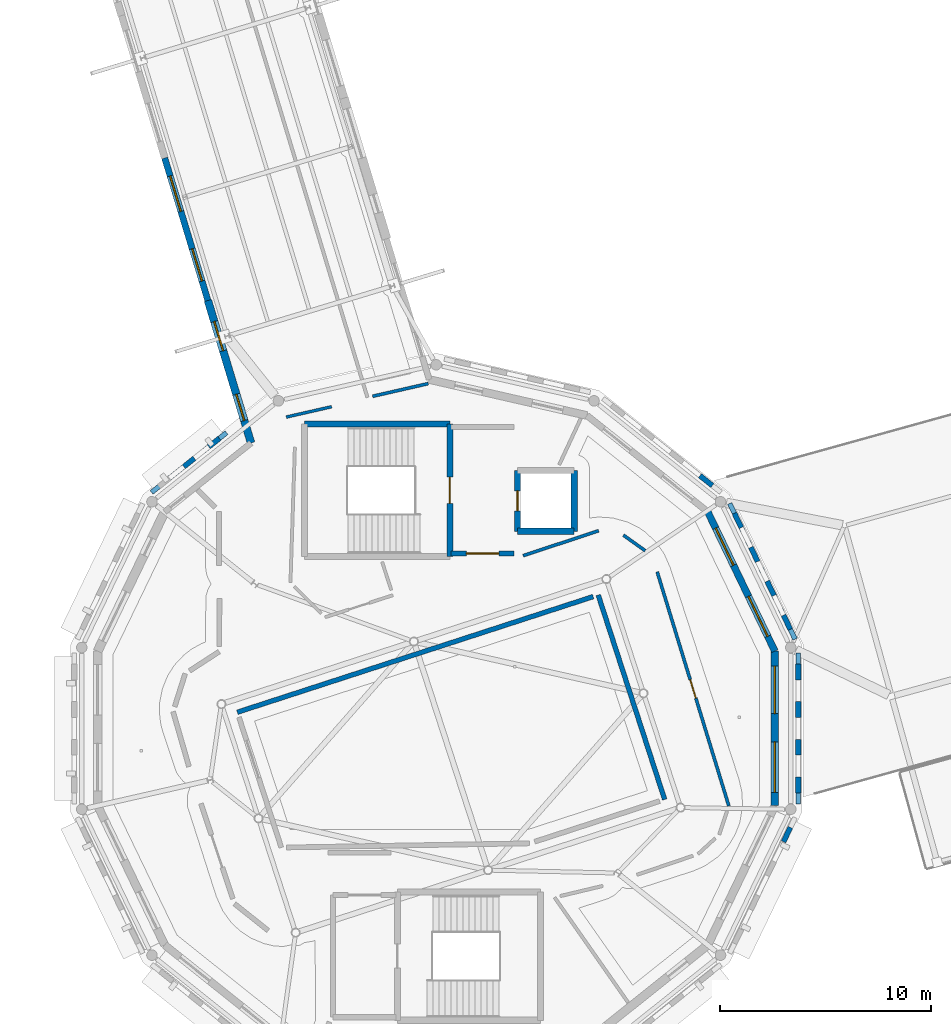
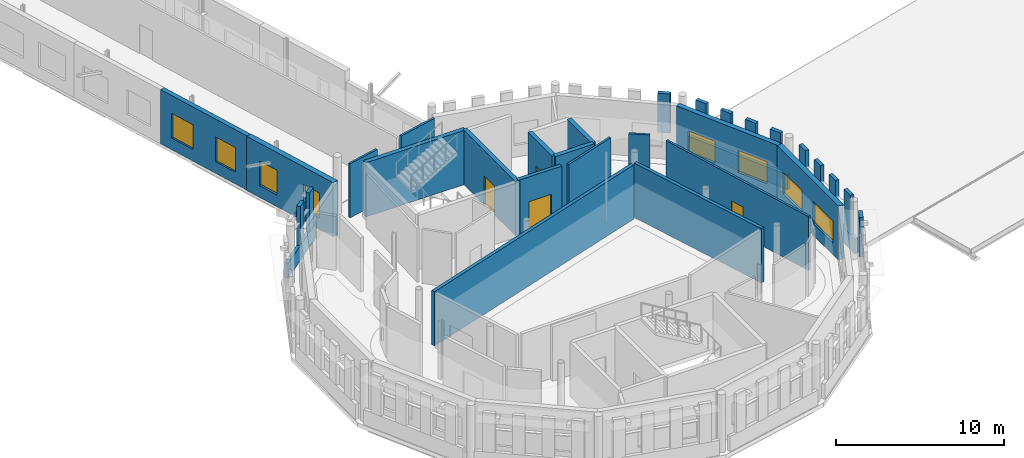
# One storey, part 53 of 90: 32 walls, 8 windows, 4 doors, 12 openings.
"""IFC4 building model written with IfcOpenShell, lengths in metres."""

from ifc_helpers import new_model, si_unit, direction, frame, frame_2d, origin, place, context, subcontext, project, spatial, rectangle, extrude, material, layer, layer_set, type_object, element, fill, save


model = new_model("IFC4")

# Units and contexts
model_context = context("Model", 3, precision=1e-05, world=origin(), true_north=direction((0.0, 1.0)))
body_context = subcontext(model_context, "Body", "Model", "MODEL_VIEW")
ifc_project = project(units=[si_unit("LENGTHUNIT", "METRE"), si_unit("AREAUNIT", "SQUARE_METRE"), si_unit("VOLUMEUNIT", "CUBIC_METRE"), si_unit("PLANEANGLEUNIT", "RADIAN"), si_unit("MASSUNIT", "GRAM", prefix="KILO")], contexts=[model_context])

# Site, building, storey
site_placement = place(None, origin())
site = spatial("IfcSite", under=ifc_project, at=site_placement, CompositionType="ELEMENT")
building_placement = place(site_placement, origin())
building = spatial("IfcBuilding", under=site, at=building_placement, Name="Wrenclough Park School", CompositionType="ELEMENT")
storey_placement = place(building_placement, frame((0.0, 0.0, 8.39990234375)))
storey = spatial("IfcBuildingStorey", under=building, at=storey_placement, Name="L02", CompositionType="ELEMENT", Elevation=8.39990234375)

# Walls
ifc_material_1 = material(Name="Perforated open-bond Staffordshire and Manchester brick screen pier", Category="masonry")
ifc_layer_1 = layer(ifc_material_1, 0.2451171875)
ifc_layer_set_1 = layer_set([ifc_layer_1], Name="Perforated open-bond Staffordshire and Manchester brick screen pier")
wall_type_1 = type_object("IfcWallType", Name="ENV-BS-PR245", PredefinedType="ELEMENTEDWALL", material=ifc_layer_set_1)
for number, where, z_axis, x_axis, name in (
    (1, (53.298828125, 28.1982421875, 1.090087890625), (0.0, 0.0, 1.0), (-0.433884123593, 0.900968682749, 0.0), "D2 L02 perforated brick screen pier 0454"),
    (2, (52.5234375, 29.80810546875, 1.090087890625), (0.0, 0.0, 1.0), (-0.433884123593, 0.900968682749, 0.0), "D2 L02 perforated brick screen pier 0455"),
    (3, (51.748291015625, 31.41796875, 1.090087890625), (0.0, 0.0, 1.0), (-0.433884123593, 0.900968682749, 0.0), "D2 L02 perforated brick screen pier 0456"),
    (4, (50.972900390625, 33.02783203125, 1.090087890625), (0.0, 0.0, 1.0), (-0.433884123593, 0.900968682749, 0.0), "D2 L02 perforated brick screen pier 0457"),
):
    element("IfcWall", number, at=place(storey_placement, frame(where, z_axis=z_axis, x_axis=x_axis)), inside=storey, type_object=wall_type_1, Name=name, PredefinedType="ELEMENTEDWALL", context=body_context, shape_type="SweptSolid", body=[
        extrude(rectangle(XDim=0.75, YDim=0.2451171875, at=frame_2d((0.375, 0.0))), origin(), (0.0, 0.0, 1.0), 2.85009765625),
    ])
wall_1_placement = place(storey_placement, frame((49.596923828125, 35.021728515625, 1.090087890625), z_axis=(0.0, 0.0, 1.0), x_axis=(-0.781819359776, 0.623505002931, 0.0)))
element("IfcWall", 5, at=wall_1_placement, inside=storey, type_object=wall_type_1, Name="D2 L02 perforated brick screen pier 0458", PredefinedType="ELEMENTEDWALL", context=body_context, shape_type="SweptSolid", body=[
    extrude(rectangle(XDim=0.7509765625, YDim=0.2451171875, at=frame_2d((0.37548828125, 0.0))), origin(), (0.0, 0.0, 1.0), 2.85009765625),
])
for number, where, z_axis, x_axis, name in (
    (6, (26.209228515625, 37.259521484375, 1.090087890625), (0.0, 0.0, 1.0), (-0.781802658716, -0.623525943986, 0.0), "D2 L02 perforated brick screen pier 0466"),
    (7, (25.0244140625, 36.314697265625, 1.090087890625), (0.0, 0.0, 1.0), (-0.781802658716, -0.623525943986, 0.0), "D2 L02 perforated brick screen pier 0467"),
):
    element("IfcWall", number, at=place(storey_placement, frame(where, z_axis=z_axis, x_axis=x_axis)), inside=storey, type_object=wall_type_1, Name=name, PredefinedType="ELEMENTEDWALL", context=body_context, shape_type="SweptSolid", body=[
        extrude(rectangle(XDim=0.636962890625, YDim=0.2451171875, at=frame_2d((0.318359375, 0.0))), origin(), (0.0, 0.0, 1.0), 2.85009765625),
    ])
for number, where, z_axis, x_axis, name in (
    (8, (52.973388671875, 18.1259765625, 1.090087890625), (0.0, 0.0, 1.0), (0.433884123593, 0.900968682749, 0.0), "D2 L02 perforated brick screen pier 0500"),
    (9, (53.673583984375, 20.4453125, 1.090087890625), (0.0, 0.0, 1.0), (0.0, 1.0, 0.0), "D2 L02 perforated brick screen pier 0501"),
    (10, (53.673583984375, 22.231689453125, 1.090087890625), (0.0, 0.0, 1.0), (0.0, 1.0, 0.0), "D2 L02 perforated brick screen pier 0502"),
    (11, (53.673583984375, 24.018310546875, 1.090087890625), (0.0, 0.0, 1.0), (0.0, 1.0, 0.0), "D2 L02 perforated brick screen pier 0503"),
    (12, (53.673583984375, 25.8046875, 1.090087890625), (0.0, 0.0, 1.0), (0.0, 1.0, 0.0), "D2 L02 perforated brick screen pier 0504"),
):
    element("IfcWall", number, at=place(storey_placement, frame(where, z_axis=z_axis, x_axis=x_axis)), inside=storey, type_object=wall_type_1, Name=name, PredefinedType="ELEMENTEDWALL", context=body_context, shape_type="SweptSolid", body=[
        extrude(rectangle(XDim=0.75, YDim=0.2451171875, at=frame_2d((0.375, 0.0))), origin(), (0.0, 0.0, 1.0), 2.85009765625),
    ])
ifc_material_2 = material(Name="Open-bond Manchester multi-stock brick spandrel screen", Category="masonry")
ifc_layer_2 = layer(ifc_material_2, 0.22509765625)
ifc_layer_set_2 = layer_set([ifc_layer_2], Name="Open-bond Manchester multi-stock brick spandrel screen")
wall_type_2 = type_object("IfcWallType", Name="ENV-BS-SP225", PredefinedType="ELEMENTEDWALL", material=ifc_layer_set_2)
wall_2_placement = place(storey_placement, frame((53.523681640625, 27.731201171875, 0.0), z_axis=(0.0, 0.0, 1.0), x_axis=(-0.433883402341, 0.900969030085, 0.0)))
element("IfcWall", 13, at=wall_2_placement, inside=storey, type_object=wall_type_2, Name="D2 L02 open-bond brick screen spandrel 0124", PredefinedType="ELEMENTEDWALL", context=body_context, shape_type="SweptSolid", body=[
    extrude(rectangle(XDim=7.147216796875, YDim=0.22509765625, at=frame_2d((3.57373046875, 0.0))), origin(), (0.0, 0.0, 1.0), 1.090087890625),
])
wall_3_placement = place(storey_placement, frame((26.552734375, 37.533447265625, 0.0), z_axis=(0.0, 0.0, 1.0), x_axis=(-0.781837045864, -0.623482825517, 0.0)))
element("IfcWall", 14, at=wall_3_placement, inside=storey, type_object=wall_type_2, Name="D2 L02 open-bond brick screen spandrel 0127", PredefinedType="ELEMENTEDWALL", context=body_context, shape_type="SweptSolid", body=[
    extrude(rectangle(XDim=4.546630859375, YDim=0.22509765625, at=frame_2d((2.2734375, 0.0))), origin(), (0.0, 0.0, 1.0), 1.090087890625),
])
wall_4_placement = place(storey_placement, frame((53.673583984375, 19.927001953125, 0.0), z_axis=(0.0, 0.0, 1.0), x_axis=(0.0, 1.0, 0.0)))
element("IfcWall", 15, at=wall_4_placement, inside=storey, type_object=wall_type_2, Name="D2 L02 open-bond brick screen spandrel 0136", PredefinedType="ELEMENTEDWALL", context=body_context, shape_type="SweptSolid", body=[
    extrude(rectangle(XDim=7.14599609375, YDim=0.22509765625, at=frame_2d((3.572998046875, 0.0))), origin(), (0.0, 0.0, 1.0), 1.090087890625),
])

# Wall, openings, windows
ifc_material_3 = material(Name="Manchester multi-stock brick and Concrete C32/40 inner leaf", Category="masonry")
ifc_layer_3 = layer(ifc_material_3, 0.300048828125)
ifc_layer_set_3 = layer_set([ifc_layer_3], Name="Manchester multi-stock brick and Concrete C32/40 inner leaf")
wall_type_3 = type_object("IfcWallType", Name="ENV-EW-300", PredefinedType="SOLIDWALL", material=ifc_layer_set_3)
wall_5_placement = place(storey_placement, frame((25.66748046875, 43.7998046875, 0.0), z_axis=(0.0, 0.0, 1.0), x_axis=(-0.290036178649, 0.957015681729, 0.0)))
wall_5 = element("IfcWall", 16, at=wall_5_placement, inside=storey, type_object=wall_type_3, Name="L02 insulated brick external wall 0224", PredefinedType="SOLIDWALL", context=body_context, shape_type="SweptSolid", body=[
    extrude(rectangle(XDim=7.062255859375, YDim=0.300048828125, at=frame_2d((3.53125, 0.0))), origin(), (0.0, 0.0, 1.0), 3.940185546875),
])
opening_1_placement = place(wall_5_placement, frame((0.965576171875, 0.0, 0.85009765625)))
opening_1 = element("IfcOpeningElement", 17, at=opening_1_placement, cuts=wall_5, Name="Opening WN-29", PredefinedType="OPENING", context=body_context, shape_type="SweptSolid", body=[
    extrude(rectangle(XDim=1.60009765625, YDim=1.800048828125, at=frame_2d((0.800048828125, 0.89990234375))), frame((0.0, 0.159912109375, 0.0), z_axis=(0.0, -1.0, 0.0), x_axis=(1.0, 0.0, 0.0)), (0.0, 0.0, 1.0), 0.320068359375),
])
opening_2_placement = place(wall_5_placement, frame((4.421875, 0.0, 0.85009765625)))
opening_2 = element("IfcOpeningElement", 18, at=opening_2_placement, cuts=wall_5, Name="Opening WN-30", PredefinedType="OPENING", context=body_context, shape_type="SweptSolid", body=[
    extrude(rectangle(XDim=1.75, YDim=1.800048828125, at=frame_2d((0.875, 0.89990234375))), frame((0.0, 0.159912109375, 0.0), z_axis=(0.0, -1.0, 0.0), x_axis=(1.0, 0.0, 0.0)), (0.0, 0.0, 1.0), 0.320068359375),
])
ifc_material_4 = material(Name="Thermally broken aluminium and double-glazed low-e glass", Category="aluminium")
window_type_1 = type_object("IfcWindowType", Name="ENV-WN-29", PartitioningType="DOUBLE_PANEL_VERTICAL", PredefinedType="WINDOW", material=ifc_material_4)
window_1_placement = place(opening_1_placement, origin())
window_1 = element("IfcWindow", 19, at=window_1_placement, inside=storey, type_object=window_type_1, Name="L02 scheduled facade window 0364", OverallHeight=1.800048828125, OverallWidth=1.60009765625, PartitioningType="SINGLE_PANEL", PredefinedType="WINDOW", context=body_context, shape_type="SweptSolid", body=[
    extrude(rectangle(XDim=1.60009765625, YDim=1.800048828125, at=frame_2d((0.800048828125, 0.89990234375))), frame((0.0, 0.030029296875, 0.0), z_axis=(0.0, -1.0, 0.0), x_axis=(1.0, 0.0, 0.0)), (0.0, 0.0, 1.0), 0.06005859375),
])
fill(opening_1, window_1)
window_type_2 = type_object("IfcWindowType", Name="ENV-WN-30", PartitioningType="DOUBLE_PANEL_VERTICAL", PredefinedType="WINDOW", material=ifc_material_4)
window_2_placement = place(opening_2_placement, origin())
window_2 = element("IfcWindow", 20, at=window_2_placement, inside=storey, type_object=window_type_2, Name="L02 scheduled facade window 0365", OverallHeight=1.800048828125, OverallWidth=1.75, PartitioningType="SINGLE_PANEL", PredefinedType="WINDOW", context=body_context, shape_type="SweptSolid", body=[
    extrude(rectangle(XDim=1.75, YDim=1.800048828125, at=frame_2d((0.875, 0.89990234375))), frame((0.0, 0.030029296875, 0.0), z_axis=(0.0, -1.0, 0.0), x_axis=(1.0, 0.0, 0.0)), (0.0, 0.0, 1.0), 0.06005859375),
])
fill(opening_2, window_2)

ifc_layer_4 = layer(ifc_material_3, 0.324951171875)
ifc_layer_set_4 = layer_set([ifc_layer_4], Name="Manchester multi-stock brick and Concrete C32/40 inner leaf")
wall_type_4 = type_object("IfcWallType", Name="ENV-EW-325", PredefinedType="SOLIDWALL", material=ifc_layer_set_4)
wall_6_placement = place(storey_placement, frame((49.382080078125, 33.773193359375, 0.0), z_axis=(0.0, 0.0, 1.0), x_axis=(0.433886691468, -0.900967446119, 0.0)))
wall_6 = element("IfcWall", 21, at=wall_6_placement, inside=storey, type_object=wall_type_4, Name="L02 insulated brick external wall 0249", PredefinedType="SOLIDWALL", context=body_context, shape_type="SweptSolid", body=[
    extrude(rectangle(XDim=7.332763671875, YDim=0.324951171875, at=frame_2d((3.66650390625, 0.0))), origin(), (0.0, 0.0, 1.0), 3.940185546875),
])
opening_3_placement = place(wall_6_placement, frame((0.8583984375, 0.0, 0.85009765625)))
opening_3 = element("IfcOpeningElement", 22, at=opening_3_placement, cuts=wall_6, Name="Opening WN-20", PredefinedType="OPENING", context=body_context, shape_type="SweptSolid", body=[
    extrude(rectangle(XDim=1.949951171875, YDim=1.60009765625, at=frame_2d((0.97509765625, 0.800048828125))), frame((0.0, 0.17236328125, 0.0), z_axis=(0.0, -1.0, 0.0), x_axis=(1.0, 0.0, 0.0)), (0.0, 0.0, 1.0), 0.344970703125),
])
opening_4_placement = place(wall_6_placement, frame((4.44970703125, 0.0, 0.85009765625)))
opening_4 = element("IfcOpeningElement", 23, at=opening_4_placement, cuts=wall_6, Name="Opening WN-21", PredefinedType="OPENING", context=body_context, shape_type="SweptSolid", body=[
    extrude(rectangle(XDim=2.10009765625, YDim=1.60009765625, at=frame_2d((1.050048828125, 0.800048828125))), frame((0.0, 0.17236328125, 0.0), z_axis=(0.0, -1.0, 0.0), x_axis=(1.0, 0.0, 0.0)), (0.0, 0.0, 1.0), 0.344970703125),
])
window_type_3 = type_object("IfcWindowType", Name="ENV-WN-20", PartitioningType="DOUBLE_PANEL_VERTICAL", PredefinedType="WINDOW", material=ifc_material_4)
window_3_placement = place(opening_3_placement, origin())
window_3 = element("IfcWindow", 24, at=window_3_placement, inside=storey, type_object=window_type_3, Name="L02 scheduled facade window 0411", OverallHeight=1.60009765625, OverallWidth=1.949951171875, PartitioningType="SINGLE_PANEL", PredefinedType="WINDOW", context=body_context, shape_type="SweptSolid", body=[
    extrude(rectangle(XDim=1.949951171875, YDim=1.60009765625, at=frame_2d((0.97509765625, 0.800048828125))), frame((0.0, 0.030029296875, 0.0), z_axis=(0.0, -1.0, 0.0), x_axis=(1.0, 0.0, 0.0)), (0.0, 0.0, 1.0), 0.06005859375),
])
fill(opening_3, window_3)
window_type_4 = type_object("IfcWindowType", Name="ENV-WN-21", PartitioningType="DOUBLE_PANEL_VERTICAL", PredefinedType="WINDOW", material=ifc_material_4)
window_4_placement = place(opening_4_placement, origin())
window_4 = element("IfcWindow", 25, at=window_4_placement, inside=storey, type_object=window_type_4, Name="L02 scheduled facade window 0412", OverallHeight=1.60009765625, OverallWidth=2.10009765625, PartitioningType="SINGLE_PANEL", PredefinedType="WINDOW", context=body_context, shape_type="SweptSolid", body=[
    extrude(rectangle(XDim=2.10009765625, YDim=1.60009765625, at=frame_2d((1.050048828125, 0.800048828125))), frame((0.0, 0.030029296875, 0.0), z_axis=(0.0, -1.0, 0.0), x_axis=(1.0, 0.0, 0.0)), (0.0, 0.0, 1.0), 0.06005859375),
])
fill(opening_4, window_4)

ifc_material_5 = material(Name="Staffordshire blue-grey brick and Concrete C35/45 inner leaf", Category="masonry")
ifc_layer_5 = layer(ifc_material_5, 0.35009765625)
ifc_layer_set_5 = layer_set([ifc_layer_5], Name="Staffordshire blue-grey brick and Concrete C35/45 inner leaf")
wall_type_5 = type_object("IfcWallType", Name="ENV-EW-350", PredefinedType="SOLIDWALL", material=ifc_layer_set_5)
wall_7_placement = place(storey_placement, frame((52.563720703125, 27.16650390625, 0.0), z_axis=(0.0, 0.0, 1.0), x_axis=(0.0, -1.0, 0.0)))
wall_7 = element("IfcWall", 26, at=wall_7_placement, inside=storey, type_object=wall_type_5, Name="L02 insulated brick external wall 0250", PredefinedType="SOLIDWALL", context=body_context, shape_type="SweptSolid", body=[
    extrude(rectangle(XDim=7.3330078125, YDim=0.35009765625, at=frame_2d((3.66650390625, 0.0))), origin(), (0.0, 0.0, 1.0), 3.940185546875),
])
opening_5_placement = place(wall_7_placement, frame((0.708251953125, 0.0, 0.85009765625)))
opening_5 = element("IfcOpeningElement", 27, at=opening_5_placement, cuts=wall_7, Name="Opening WN-22", PredefinedType="OPENING", context=body_context, shape_type="SweptSolid", body=[
    extrude(rectangle(XDim=2.25, YDim=1.60009765625, at=frame_2d((1.125, 0.800048828125))), frame((0.0, 0.18505859375, 0.0), z_axis=(0.0, -1.0, 0.0), x_axis=(1.0, 0.0, 0.0)), (0.0, 0.0, 1.0), 0.3701171875),
])
opening_6_placement = place(wall_7_placement, frame((4.2998046875, 0.0, 0.85009765625)))
opening_6 = element("IfcOpeningElement", 28, at=opening_6_placement, cuts=wall_7, Name="Opening WN-23", PredefinedType="OPENING", context=body_context, shape_type="SweptSolid", body=[
    extrude(rectangle(XDim=2.39990234375, YDim=1.60009765625, at=frame_2d((1.199951171875, 0.800048828125))), frame((0.0, 0.18505859375, 0.0), z_axis=(0.0, -1.0, 0.0), x_axis=(1.0, 0.0, 0.0)), (0.0, 0.0, 1.0), 0.3701171875),
])
window_type_5 = type_object("IfcWindowType", Name="ENV-WN-22", PartitioningType="DOUBLE_PANEL_VERTICAL", PredefinedType="WINDOW", material=ifc_material_4)
window_5_placement = place(opening_5_placement, origin())
window_5 = element("IfcWindow", 29, at=window_5_placement, inside=storey, type_object=window_type_5, Name="L02 scheduled facade window 0413", OverallHeight=1.60009765625, OverallWidth=2.25, PartitioningType="SINGLE_PANEL", PredefinedType="WINDOW", context=body_context, shape_type="SweptSolid", body=[
    extrude(rectangle(XDim=2.25, YDim=1.60009765625, at=frame_2d((1.125, 0.800048828125))), frame((0.0, 0.030029296875, 0.0), z_axis=(0.0, -1.0, 0.0), x_axis=(1.0, 0.0, 0.0)), (0.0, 0.0, 1.0), 0.06005859375),
])
fill(opening_5, window_5)
window_type_6 = type_object("IfcWindowType", Name="ENV-WN-23", PartitioningType="DOUBLE_PANEL_VERTICAL", PredefinedType="WINDOW", material=ifc_material_4)
window_6_placement = place(opening_6_placement, origin())
window_6 = element("IfcWindow", 30, at=window_6_placement, inside=storey, type_object=window_type_6, Name="L02 scheduled facade window 0414", OverallHeight=1.60009765625, OverallWidth=2.39990234375, PartitioningType="SINGLE_PANEL", PredefinedType="WINDOW", context=body_context, shape_type="SweptSolid", body=[
    extrude(rectangle(XDim=2.39990234375, YDim=1.60009765625, at=frame_2d((1.199951171875, 0.800048828125))), frame((0.0, 0.030029296875, 0.0), z_axis=(0.0, -1.0, 0.0), x_axis=(1.0, 0.0, 0.0)), (0.0, 0.0, 1.0), 0.06005859375),
])
fill(opening_6, window_6)

ifc_material_6 = material(Name="Faceted courtyard brick-cavity wall Concrete C35/45", Category="masonry")
ifc_layer_6 = layer(ifc_material_6, 0.364990234375)
ifc_layer_set_6 = layer_set([ifc_layer_6], Name="Faceted courtyard brick-cavity wall Concrete C35/45")
wall_type_6 = type_object("IfcWallType", Name="ENV-EW-365", PredefinedType="SOLIDWALL", material=ifc_layer_set_6)
wall_8_placement = place(storey_placement, frame((27.715576171875, 37.041015625, 0.0), z_axis=(0.0, 0.0, 1.0), x_axis=(-0.290004516903, 0.957025276665, 0.0)))
wall_8 = element("IfcWall", 31, at=wall_8_placement, inside=storey, type_object=wall_type_6, Name="L02 insulated brick external wall 0223", PredefinedType="SOLIDWALL", context=body_context, shape_type="SweptSolid", body=[
    extrude(rectangle(XDim=7.062255859375, YDim=0.364990234375, at=frame_2d((3.53125, 0.0))), origin(), (0.0, 0.0, 1.0), 3.940185546875),
])
opening_7_placement = place(wall_8_placement, frame((1.115478515625, 0.0, 0.85009765625)))
opening_7 = element("IfcOpeningElement", 32, at=opening_7_placement, cuts=wall_8, Name="Opening WN-27", PredefinedType="OPENING", context=body_context, shape_type="SweptSolid", body=[
    extrude(rectangle(XDim=1.300048828125, YDim=1.800048828125, at=frame_2d((0.64990234375, 0.89990234375))), frame((0.0, 0.1923828125, 0.0), z_axis=(0.0, -1.0, 0.0), x_axis=(1.0, 0.0, 0.0)), (0.0, 0.0, 1.0), 0.385009765625),
])
opening_8_placement = place(wall_8_placement, frame((4.57177734375, 0.0, 0.85009765625)))
opening_8 = element("IfcOpeningElement", 33, at=opening_8_placement, cuts=wall_8, Name="Opening WN-28", PredefinedType="OPENING", context=body_context, shape_type="SweptSolid", body=[
    extrude(rectangle(XDim=1.449951171875, YDim=1.800048828125, at=frame_2d((0.72509765625, 0.89990234375))), frame((0.0, 0.1923828125, 0.0), z_axis=(0.0, -1.0, 0.0), x_axis=(1.0, 0.0, 0.0)), (0.0, 0.0, 1.0), 0.385009765625),
])
window_type_7 = type_object("IfcWindowType", Name="ENV-WN-27", PartitioningType="SINGLE_PANEL", PredefinedType="WINDOW", material=ifc_material_4)
window_7_placement = place(opening_7_placement, origin())
window_7 = element("IfcWindow", 34, at=window_7_placement, inside=storey, type_object=window_type_7, Name="L02 scheduled facade window 0362", OverallHeight=1.800048828125, OverallWidth=1.300048828125, PartitioningType="SINGLE_PANEL", PredefinedType="WINDOW", context=body_context, shape_type="SweptSolid", body=[
    extrude(rectangle(XDim=1.300048828125, YDim=1.800048828125, at=frame_2d((0.64990234375, 0.89990234375))), frame((0.0, 0.030029296875, 0.0), z_axis=(0.0, -1.0, 0.0), x_axis=(1.0, 0.0, 0.0)), (0.0, 0.0, 1.0), 0.06005859375),
])
fill(opening_7, window_7)
window_type_8 = type_object("IfcWindowType", Name="ENV-WN-28", PartitioningType="SINGLE_PANEL", PredefinedType="WINDOW", material=ifc_material_4)
window_8_placement = place(opening_8_placement, origin())
window_8 = element("IfcWindow", 35, at=window_8_placement, inside=storey, type_object=window_type_8, Name="L02 scheduled facade window 0363", OverallHeight=1.800048828125, OverallWidth=1.449951171875, PartitioningType="SINGLE_PANEL", PredefinedType="WINDOW", context=body_context, shape_type="SweptSolid", body=[
    extrude(rectangle(XDim=1.449951171875, YDim=1.800048828125, at=frame_2d((0.72509765625, 0.89990234375))), frame((0.0, 0.030029296875, 0.0), z_axis=(0.0, -1.0, 0.0), x_axis=(1.0, 0.0, 0.0)), (0.0, 0.0, 1.0), 0.06005859375),
])
fill(opening_8, window_8)

# Wall, opening, door
ifc_material_7 = material(Name="Concrete C35/45", Category="concrete")
ifc_layer_7 = layer(ifc_material_7, 0.25)
ifc_layer_set_7 = layer_set([ifc_layer_7], Name="Concrete C35/45")
wall_type_7 = type_object("IfcWallType", Name="INT-CW-250", PredefinedType="SHEAR", material=ifc_layer_set_7)
wall_9_placement = place(storey_placement, frame((37.199951171875, 31.800048828125, 0.0), z_axis=(0.0, 0.0, 1.0), x_axis=(1.0, 0.0, 0.0)))
wall_9 = element("IfcWall", 36, at=wall_9_placement, inside=storey, type_object=wall_type_7, Name="Core C2 L02 lobby fire wall south", PredefinedType="SHEAR", context=body_context, shape_type="SweptSolid", body=[
    extrude(rectangle(XDim=3.0, YDim=0.25, at=frame_2d((1.5, 0.0))), origin(), (0.0, 0.0, 1.0), 3.9501953125),
])
opening_9_placement = place(wall_9_placement, frame((0.72509765625, 0.0, 0.0)))
opening_9 = element("IfcOpeningElement", 37, at=opening_9_placement, cuts=wall_9, Name="Opening DLB-C2-L02", PredefinedType="OPENING", context=body_context, shape_type="SweptSolid", body=[
    extrude(rectangle(XDim=1.550048828125, YDim=2.14990234375, at=frame_2d((0.77490234375, 1.074951171875))), frame((0.0, 0.135009765625, 0.0), z_axis=(0.0, -1.0, 0.0), x_axis=(1.0, 0.0, 0.0)), (0.0, 0.0, 1.0), 0.27001953125),
])
ifc_material_8 = material(Name="Protected stair lobby double fire door assembly", Category="wood")
door_type_1 = type_object("IfcDoorType", Name="INT-DR-LB155", OperationType="NOTDEFINED", PredefinedType="DOOR", material=ifc_material_8)
door_1_placement = place(opening_9_placement, origin())
door_1 = element("IfcDoor", 38, at=door_1_placement, inside=storey, type_object=door_type_1, Name="Core C2 L02 protected lobby fire door", OperationType="DOUBLE_DOOR_SINGLE_SWING", OverallHeight=2.14990234375, OverallWidth=1.550048828125, PredefinedType="DOOR", context=body_context, shape_type="SweptSolid", body=[
    extrude(rectangle(XDim=1.550048828125, YDim=2.14990234375, at=frame_2d((0.77490234375, 1.074951171875))), frame((0.0, 0.02490234375, 0.0), z_axis=(0.0, -1.0, 0.0), x_axis=(1.0, 0.0, 0.0)), (0.0, 0.0, 1.0), 0.050048828125),
])
fill(opening_9, door_1)

ifc_material_9 = material(Name="Concrete C40/50", Category="concrete")
ifc_layer_8 = layer(ifc_material_9, 0.2900390625)
ifc_layer_set_8 = layer_set([ifc_layer_8], Name="Concrete C40/50")
wall_type_8 = type_object("IfcWallType", Name="INT-CW-290", PredefinedType="SHEAR", material=ifc_layer_set_8)
wall_10_placement = place(storey_placement, frame((37.14501953125, 31.655029296875, 0.0), z_axis=(0.0, 0.0, 1.0), x_axis=(0.0, 1.0, 0.0)))
wall_10 = element("IfcWall", 39, at=wall_10_placement, inside=storey, type_object=wall_type_8, Name="Core C2 L02 east shear wall", PredefinedType="SHEAR", context=body_context, shape_type="SweptSolid", body=[
    extrude(rectangle(XDim=6.2900390625, YDim=0.2900390625, at=frame_2d((3.14501953125, 0.0))), origin(), (0.0, 0.0, 1.0), 3.9501953125),
])
opening_10_placement = place(wall_10_placement, frame((2.52001953125, 0.0, 0.0)))
opening_10 = element("IfcOpeningElement", 40, at=opening_10_placement, cuts=wall_10, Name="Opening DST-C2-L02", PredefinedType="OPENING", context=body_context, shape_type="SweptSolid", body=[
    extrude(rectangle(XDim=1.25, YDim=2.10009765625, at=frame_2d((0.625, 1.050048828125))), frame((0.0, 0.155029296875, 0.0), z_axis=(0.0, -1.0, 0.0), x_axis=(1.0, 0.0, 0.0)), (0.0, 0.0, 1.0), 0.31005859375),
])
ifc_material_10 = material(Name="Wide protected escape stair fire door assembly", Category="wood")
door_type_2 = type_object("IfcDoorType", Name="INT-DR-ST125", OperationType="NOTDEFINED", PredefinedType="DOOR", material=ifc_material_10)
door_2_placement = place(opening_10_placement, origin())
door_2 = element("IfcDoor", 41, at=door_2_placement, inside=storey, type_object=door_type_2, Name="Stair ST-02 L02 fire door", OperationType="SINGLE_SWING_LEFT", OverallHeight=2.10009765625, OverallWidth=1.25, PredefinedType="DOOR", context=body_context, shape_type="SweptSolid", body=[
    extrude(rectangle(XDim=1.25, YDim=2.10009765625, at=frame_2d((0.625, 1.050048828125))), frame((0.0, 0.02490234375, 0.0), z_axis=(0.0, -1.0, 0.0), x_axis=(1.0, 0.0, 0.0)), (0.0, 0.0, 1.0), 0.050048828125),
])
fill(opening_10, door_2)

# Walls
wall_11_placement = place(storey_placement, frame((37.14501953125, 37.945068359375, 0.0), z_axis=(0.0, 0.0, 1.0), x_axis=(-1.0, 0.0, 0.0)))
element("IfcWall", 42, at=wall_11_placement, inside=storey, type_object=wall_type_8, Name="Core C2 L02 north shear wall", PredefinedType="SHEAR", context=body_context, shape_type="SweptSolid", body=[
    extrude(rectangle(XDim=6.89013671875, YDim=0.2900390625, at=frame_2d((3.445068359375, 0.0))), origin(), (0.0, 0.0, 1.0), 3.9501953125),
])
wall_12_placement = place(storey_placement, frame((40.35498046875, 32.85498046875, 0.0), z_axis=(0.0, 0.0, 1.0), x_axis=(1.0, 0.0, 0.0)))
element("IfcWall", 43, at=wall_12_placement, inside=storey, type_object=wall_type_8, Name="Lift LFT-04 L02 south shaft wall", PredefinedType="SHEAR", context=body_context, shape_type="SweptSolid", body=[
    extrude(rectangle(XDim=2.68994140625, YDim=0.2900390625, at=frame_2d((1.344970703125, 0.0))), origin(), (0.0, 0.0, 1.0), 3.9501953125),
])
wall_13_placement = place(storey_placement, frame((43.044921875, 32.85498046875, 0.0), z_axis=(0.0, 0.0, 1.0), x_axis=(0.0, 1.0, 0.0)))
element("IfcWall", 44, at=wall_13_placement, inside=storey, type_object=wall_type_8, Name="Lift LFT-04 L02 east shaft wall", PredefinedType="SHEAR", context=body_context, shape_type="SweptSolid", body=[
    extrude(rectangle(XDim=2.89013671875, YDim=0.2900390625, at=frame_2d((1.445068359375, 0.0))), origin(), (0.0, 0.0, 1.0), 3.9501953125),
])

# Wall, opening, door
wall_14_placement = place(storey_placement, frame((40.35498046875, 35.7451171875, 0.0), z_axis=(0.0, 0.0, 1.0), x_axis=(0.0, -1.0, 0.0)))
wall_14 = element("IfcWall", 45, at=wall_14_placement, inside=storey, type_object=wall_type_8, Name="Lift LFT-04 L02 west shaft wall", PredefinedType="SHEAR", context=body_context, shape_type="SweptSolid", body=[
    extrude(rectangle(XDim=2.89013671875, YDim=0.2900390625, at=frame_2d((1.445068359375, 0.0))), origin(), (0.0, 0.0, 1.0), 3.9501953125),
])
opening_11_placement = place(wall_14_placement, frame((0.969970703125, 0.0, 0.0)))
opening_11 = element("IfcOpeningElement", 46, at=opening_11_placement, cuts=wall_14, Name="Opening LD-04-L02", PredefinedType="OPENING", context=body_context, shape_type="SweptSolid", body=[
    extrude(rectangle(XDim=0.949951171875, YDim=2.10009765625, at=frame_2d((0.47509765625, 1.050048828125))), frame((0.0, 0.155029296875, 0.0), z_axis=(0.0, -1.0, 0.0), x_axis=(1.0, 0.0, 0.0)), (0.0, 0.0, 1.0), 0.31005859375),
])
ifc_material_11 = material(Name="Brushed stainless steel", Category="steel")
door_type_3 = type_object("IfcDoorType", Name="INT-DR-LD095", OperationType="NOTDEFINED", PredefinedType="DOOR", material=ifc_material_11)
door_3_placement = place(opening_11_placement, frame((0.949951171875, 0.0, 0.0), z_axis=(0.0, 0.0, 1.0), x_axis=(-1.0, 0.0, 0.0)))
door_3 = element("IfcDoor", 47, at=door_3_placement, inside=storey, type_object=door_type_3, Name="Lift LFT-04 L02 sliding landing door", OperationType="SLIDING_TO_LEFT", OverallHeight=2.10009765625, OverallWidth=0.949951171875, PredefinedType="DOOR", context=body_context, shape_type="SweptSolid", body=[
    extrude(rectangle(XDim=0.949951171875, YDim=2.10009765625, at=frame_2d((0.47509765625, 1.050048828125))), frame((0.0, 0.02490234375, 0.0), z_axis=(0.0, -1.0, 0.0), x_axis=(1.0, 0.0, 0.0)), (0.0, 0.0, 1.0), 0.050048828125),
])
fill(opening_11, door_3)

# Walls
ifc_material_12 = material(Name="Protected corridor partition", Category="gypsum")
ifc_layer_9 = layer(ifc_material_12, 0.14990234375)
ifc_layer_set_9 = layer_set([ifc_layer_9], Name="Protected corridor partition")
wall_type_9 = type_object("IfcWallType", Name="INT-PW-150", PredefinedType="PARTITIONING", material=ifc_layer_set_9)
wall_15_placement = place(storey_placement, frame((40.619873046875, 31.696044921875, 0.0), z_axis=(0.0, 0.0, 1.0), x_axis=(0.949660752523, 0.313280154363, 0.0)))
element("IfcWall", 48, at=wall_15_placement, inside=storey, type_object=wall_type_9, Name="L02 internal partition 0353", PredefinedType="PARTITIONING", context=body_context, shape_type="SweptSolid", body=[
    extrude(rectangle(XDim=3.77880859375, YDim=0.14990234375, at=frame_2d((1.889404296875, 0.0))), origin(), (0.0, 0.0, 1.0), 3.93017578125),
])
wall_16_placement = place(storey_placement, frame((45.376708984375, 32.671142578125, 0.0), z_axis=(0.0, 0.0, 1.0), x_axis=(0.814070389221, -0.580766219225, 0.0)))
element("IfcWall", 49, at=wall_16_placement, inside=storey, type_object=wall_type_9, Name="L02 internal partition 0354", PredefinedType="PARTITIONING", context=body_context, shape_type="SweptSolid", body=[
    extrude(rectangle(XDim=1.2724609375, YDim=0.14990234375, at=frame_2d((0.63623046875, 0.0))), origin(), (0.0, 0.0, 1.0), 3.93017578125),
])

# Wall, opening, door
wall_17_placement = place(storey_placement, frame((46.981201171875, 30.92919921875, 0.0), z_axis=(0.0, 0.0, 1.0), x_axis=(0.292664455172, -0.956215204166, 0.0)))
wall_17 = element("IfcWall", 50, at=wall_17_placement, inside=storey, type_object=wall_type_9, Name="L02 internal partition 0355", PredefinedType="PARTITIONING", context=body_context, shape_type="SweptSolid", body=[
    extrude(rectangle(XDim=11.61376953125, YDim=0.14990234375, at=frame_2d((5.806884765625, 0.0))), origin(), (0.0, 0.0, 1.0), 3.93017578125),
])
opening_12_placement = place(wall_17_placement, frame((5.3466796875, 0.0, 0.0)))
opening_12 = element("IfcOpeningElement", 51, at=opening_12_placement, cuts=wall_17, Name="Opening DR-L02-066", PredefinedType="OPENING", context=body_context, shape_type="SweptSolid", body=[
    extrude(rectangle(XDim=0.919921875, YDim=2.080078125, at=frame_2d((0.4599609375, 1.0400390625))), frame((0.0, 0.0849609375, 0.0), z_axis=(0.0, -1.0, 0.0), x_axis=(1.0, 0.0, 0.0)), (0.0, 0.0, 1.0), 0.169921875),
])
ifc_material_13 = material(Name="Acoustic classroom single leaf vision door assembly", Category="wood")
door_type_4 = type_object("IfcDoorType", Name="INT-DR-CL092", OperationType="NOTDEFINED", PredefinedType="DOOR", material=ifc_material_13)
door_4_placement = place(opening_12_placement, origin())
door_4 = element("IfcDoor", 52, at=door_4_placement, inside=storey, type_object=door_type_4, Name="Stage Control Classroom door DR-L02-066", OperationType="SINGLE_SWING_LEFT", OverallHeight=2.080078125, OverallWidth=0.919921875, PredefinedType="DOOR", context=body_context, shape_type="SweptSolid", body=[
    extrude(rectangle(XDim=0.919921875, YDim=2.080078125, at=frame_2d((0.4599609375, 1.0400390625))), frame((0.0, 0.02490234375, 0.0), z_axis=(0.0, -1.0, 0.0), x_axis=(1.0, 0.0, 0.0)), (0.0, 0.0, 1.0), 0.050048828125),
])
fill(opening_12, door_4)

# Walls
wall_18_placement = place(storey_placement, frame((33.479248046875, 39.256591796875, 0.0), z_axis=(0.0, 0.0, 1.0), x_axis=(0.97491998307, 0.222555670812, 0.0)))
element("IfcWall", 53, at=wall_18_placement, inside=storey, type_object=wall_type_9, Name="L02 internal partition 0403", PredefinedType="PARTITIONING", context=body_context, shape_type="SweptSolid", body=[
    extrude(rectangle(XDim=2.70947265625, YDim=0.14990234375, at=frame_2d((1.354736328125, 0.0))), origin(), (0.0, 0.0, 1.0), 3.93017578125),
])
ifc_material_14 = material(Name="Twin-frame acoustic gypsum board 60 dB Rw", Category="gypsum")
ifc_layer_10 = layer(ifc_material_14, 0.22509765625)
ifc_layer_set_10 = layer_set([ifc_layer_10], Name="Twin-frame acoustic gypsum board 60 dB Rw")
wall_type_10 = type_object("IfcWallType", Name="INT-PW-225", PredefinedType="PARTITIONING", material=ifc_layer_set_10)
wall_19_placement = place(storey_placement, frame((47.33544921875, 20.130859375, 0.0), z_axis=(0.0, 0.0, 1.0), x_axis=(-0.309009217467, 0.951059043131, 0.0)))
element("IfcWall", 54, at=wall_19_placement, inside=storey, type_object=wall_type_10, Name="L02 internal partition 0336", PredefinedType="PARTITIONING", context=body_context, shape_type="SweptSolid", body=[
    extrude(rectangle(XDim=10.199951171875, YDim=0.22509765625, at=frame_2d((5.10009765625, 0.0))), origin(), (0.0, 0.0, 1.0), 3.9501953125),
])
wall_20_placement = place(storey_placement, frame((43.94580078125, 29.75439453125, 0.0), z_axis=(0.0, 0.0, 1.0), x_axis=(-0.951056101214, -0.309018271859, 0.0)))
element("IfcWall", 55, at=wall_20_placement, inside=storey, type_object=wall_type_10, Name="L02 internal partition 0337", PredefinedType="PARTITIONING", context=body_context, shape_type="SweptSolid", body=[
    extrude(rectangle(XDim=17.75, YDim=0.22509765625, at=frame_2d((8.875, 0.0))), origin(), (0.0, 0.0, 1.0), 3.9501953125),
])
ifc_material_15 = material(Name="Moisture-resistant sanitary service wall", Category="gypsum")
ifc_layer_11 = layer(ifc_material_15, 0.139892578125)
ifc_layer_set_11 = layer_set([ifc_layer_11], Name="Moisture-resistant sanitary service wall")
wall_type_11 = type_object("IfcWallType", Name="INT-SV-140", PredefinedType="PLUMBINGWALL", material=ifc_layer_set_11)
wall_21_placement = place(storey_placement, frame((31.540771484375, 38.762939453125, 0.0), z_axis=(0.0, 0.0, 1.0), x_axis=(-0.974922930025, -0.222542761087, 0.0)))
element("IfcWall", 56, at=wall_21_placement, inside=storey, type_object=wall_type_11, Name="L02 internal partition 0362", PredefinedType="PLUMBINGWALL", context=body_context, shape_type="SweptSolid", body=[
    extrude(rectangle(XDim=2.20947265625, YDim=0.139892578125, at=frame_2d((1.104736328125, 0.0))), origin(), (0.0, 0.0, 1.0), 3.93017578125),
])

save(model, "model.ifc")
